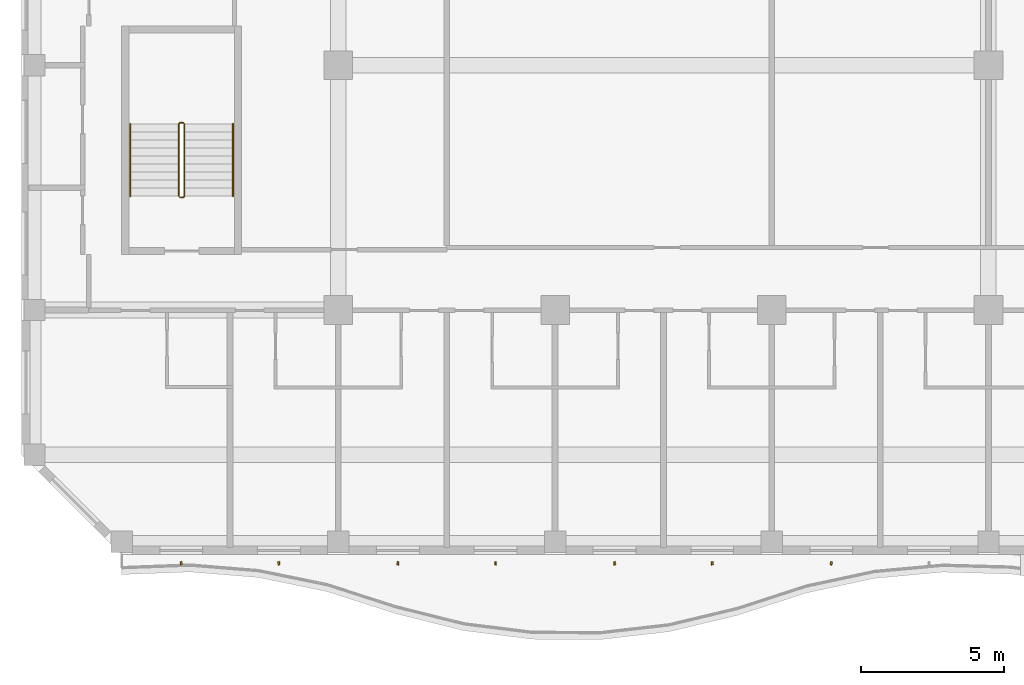
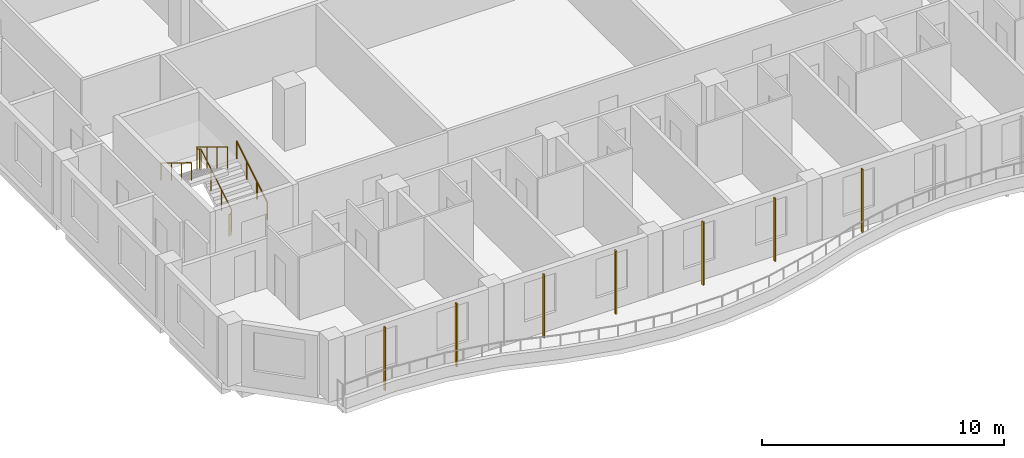
# One storey, part 15 of 22: 7 shading devices, 3 railings.
"""IFC4 building model written with IfcOpenShell, lengths in metres."""

from ifc_helpers import new_model, si_unit, direction, frame, origin, origin_2d, place, context, subcontext, project, spatial, rectangle, circle, extrude, source, transform, mapped, material, material_profile, profile_set, type_object, element, save


model = new_model("IFC4")

# Units and contexts
model_context = context("Model", 3, precision=1e-05, world=origin(), true_north=direction((0.0, 1.0)))
body_context = subcontext(model_context, "Body", "Model", "MODEL_VIEW")
ifc_project = project(units=[si_unit("LENGTHUNIT", "METRE"), si_unit("AREAUNIT", "SQUARE_METRE"), si_unit("VOLUMEUNIT", "CUBIC_METRE"), si_unit("PLANEANGLEUNIT", "RADIAN"), si_unit("MASSUNIT", "GRAM", prefix="KILO")], contexts=[model_context])

# Site, building, storey
site_placement = place(None, origin())
site = spatial("IfcSite", under=ifc_project, at=site_placement, CompositionType="ELEMENT")
building_placement = place(site_placement, origin())
building = spatial("IfcBuilding", under=site, at=building_placement, Name="Kilnfold Tower and Market Hall", CompositionType="ELEMENT")
storey_placement = place(building_placement, frame((0.0, 0.0, 206.699951171875)))
storey = spatial("IfcBuildingStorey", under=building, at=storey_placement, Name="L50", CompositionType="ELEMENT", Elevation=206.699951171875)

# Railings
ifc_material_1 = material(Name="Stainless steel 316", Category="steel")
railing_type_1 = type_object("IfcRailingType", Name="CORE STAIR GUARD 1100", PredefinedType="GUARDRAIL", material=ifc_material_1)
railing_1_placement = place(storey_placement, frame((-15.699951171875, -13.75, 0.0)))
element("IfcRailing", 1, at=railing_1_placement, inside=storey, type_object=railing_type_1, Name="L50 ST3 stair guard 1", PredefinedType="GUARDRAIL", context=body_context, shape_type="SweptSolid", body=[
    extrude(circle(Radius=0.02392578125, at=origin_2d()), frame((0.0, 0.0, 1.076171875), z_axis=(1.0, 0.0, 0.0), x_axis=(0.0, 1.0, 0.0)), (0.0, 0.0, 1.0), 0.099853515625),
    extrude(circle(Radius=0.02392578125, at=origin_2d()), frame((0.099853515625, 0.0, 1.076171875), z_axis=(0.271562723297, 0.271562723297, 0.923313259209), x_axis=(-0.707106781187, 0.707106781187, 0.0)), (0.0, 0.0, 1.0), 0.184326171875),
    extrude(circle(Radius=0.02392578125, at=origin_2d()), frame((0.14990234375, 0.050048828125, 1.24609375), z_axis=(0.0, 0.854821627497, 0.518921945155), x_axis=(-1.0, 0.0, 0.0)), (0.0, 0.0, 1.0), 2.947998046875),
    extrude(circle(Radius=0.02392578125, at=origin_2d()), frame((0.14990234375, 2.570068359375, 2.77587890625), z_axis=(-0.707106781187, 0.707106781187, 0.0), x_axis=(-0.707106781187, -0.707106781187, 0.0)), (0.0, 0.0, 1.0), 0.07080078125),
    extrude(circle(Radius=0.02392578125, at=origin_2d()), frame((0.099853515625, 2.6201171875, 2.77587890625), z_axis=(-1.0, 0.0, 0.0), x_axis=(0.0, -1.0, 0.0)), (0.0, 0.0, 1.0), 0.099853515625),
    extrude(circle(Radius=0.02392578125, at=origin_2d()), frame((0.0, 2.6201171875, 2.77587890625), z_axis=(-0.271562723297, -0.271562723297, 0.923313259209), x_axis=(0.707106781187, -0.707106781187, 0.0)), (0.0, 0.0, 1.0), 0.184326171875),
    extrude(circle(Radius=0.02392578125, at=origin_2d()), frame((-0.050048828125, 2.570068359375, 2.9462890625), z_axis=(0.0, -0.85478489116, 0.518982456201), x_axis=(1.0, 0.0, 0.0)), (0.0, 0.0, 1.0), 2.9482421875),
    extrude(circle(Radius=0.02099609375, at=origin_2d()), origin(), (0.0, 0.0, 1.0), 1.052001953125),
    extrude(circle(Radius=0.02099609375, at=origin_2d()), frame((0.099853515625, 0.0, 0.0)), (0.0, 0.0, 1.0), 1.052001953125),
    extrude(circle(Radius=0.02099609375, at=origin_2d()), frame((0.14990234375, 0.050048828125, 0.170166015625)), (0.0, 0.0, 1.0), 1.052001953125),
    extrude(circle(Radius=0.02099609375, at=origin_2d()), frame((0.14990234375, 0.89013671875, 0.68017578125)), (0.0, 0.0, 1.0), 1.052001953125),
    extrude(circle(Radius=0.02099609375, at=origin_2d()), frame((0.14990234375, 1.72998046875, 1.18994140625)), (0.0, 0.0, 1.0), 1.052001953125),
    extrude(circle(Radius=0.02099609375, at=origin_2d()), frame((0.14990234375, 2.570068359375, 1.699951171875)), (0.0, 0.0, 1.0), 1.052001953125),
    extrude(circle(Radius=0.02099609375, at=origin_2d()), frame((0.099853515625, 2.6201171875, 1.699951171875)), (0.0, 0.0, 1.0), 1.052001953125),
    extrude(circle(Radius=0.02099609375, at=origin_2d()), frame((0.0, 2.6201171875, 1.699951171875)), (0.0, 0.0, 1.0), 1.052001953125),
    extrude(circle(Radius=0.02099609375, at=origin_2d()), frame((-0.050048828125, 2.570068359375, 1.8701171875)), (0.0, 0.0, 1.0), 1.052001953125),
    extrude(circle(Radius=0.02099609375, at=origin_2d()), frame((-0.050048828125, 1.72998046875, 2.380126953125)), (0.0, 0.0, 1.0), 1.052001953125),
    extrude(circle(Radius=0.02099609375, at=origin_2d()), frame((-0.050048828125, 0.89013671875, 2.89013671875)), (0.0, 0.0, 1.0), 1.052001953125),
    extrude(circle(Radius=0.02099609375, at=origin_2d()), frame((-0.050048828125, 0.050048828125, 3.400146484375)), (0.0, 0.0, 1.0), 1.052001953125),
])
ifc_material_2 = material(Name="Stainless steel 316", Category="steel")
railing_type_2 = type_object("IfcRailingType", Name="CORE STAIR HANDRAIL 900", PredefinedType="HANDRAIL", material=ifc_material_2)
railing_2_placement = place(storey_placement, frame((-13.85009765625, -13.699951171875, 0.170166015625)))
element("IfcRailing", 2, at=railing_2_placement, inside=storey, type_object=railing_type_2, Name="L50 ST3 stair handrail 1", PredefinedType="HANDRAIL", context=body_context, shape_type="SweptSolid", body=[
    extrude(circle(Radius=0.02392578125, at=origin_2d()), frame((0.0, 0.0, 0.8759765625), z_axis=(0.0, 0.854821627497, 0.518921945155), x_axis=(-1.0, 0.0, 0.0)), (0.0, 0.0, 1.0), 2.947998046875),
    extrude(circle(Radius=0.02099609375, at=origin_2d()), origin(), (0.0, 0.0, 1.0), 0.851806640625),
    extrude(circle(Radius=0.02099609375, at=origin_2d()), frame((0.0, 0.840087890625, 0.510009765625)), (0.0, 0.0, 1.0), 0.851806640625),
    extrude(circle(Radius=0.02099609375, at=origin_2d()), frame((0.0, 1.679931640625, 1.019775390625)), (0.0, 0.0, 1.0), 0.851806640625),
    extrude(circle(Radius=0.02099609375, at=origin_2d()), frame((0.0, 2.52001953125, 1.52978515625)), (0.0, 0.0, 1.0), 0.851806640625),
])
railing_3_placement = place(storey_placement, frame((-17.449951171875, -11.179931640625, 1.8701171875)))
element("IfcRailing", 3, at=railing_3_placement, inside=storey, type_object=railing_type_2, Name="L50 ST3 stair handrail 2", PredefinedType="HANDRAIL", context=body_context, shape_type="SweptSolid", body=[
    extrude(circle(Radius=0.02392578125, at=origin_2d()), frame((0.0, 0.0, 0.8759765625), z_axis=(0.0, -0.85478489116, 0.518982456201), x_axis=(1.0, 0.0, 0.0)), (0.0, 0.0, 1.0), 2.9482421875),
    extrude(circle(Radius=0.02099609375, at=origin_2d()), origin(), (0.0, 0.0, 1.0), 0.851806640625),
    extrude(circle(Radius=0.02099609375, at=origin_2d()), frame((0.0, -0.840087890625, 0.510009765625)), (0.0, 0.0, 1.0), 0.851806640625),
    extrude(circle(Radius=0.02099609375, at=origin_2d()), frame((0.0, -1.679931640625, 1.02001953125)), (0.0, 0.0, 1.0), 0.851806640625),
    extrude(circle(Radius=0.02099609375, at=origin_2d()), frame((0.0, -2.52001953125, 1.530029296875)), (0.0, 0.0, 1.0), 0.851806640625),
])

# Shading devices
ifc_material_3 = material(Name="Terracotta", Category="masonry")
ifc_material_profile = material_profile(ifc_material_3, rectangle(XDim=0.06005859375, YDim=0.1201171875, at=origin_2d()), Name="BAG 60x120")
ifc_profile_set = profile_set([ifc_material_profile], Name="Terracotta")
shading_device_type = type_object("IfcShadingDeviceType", Name="BAGUETTE", PredefinedType="USERDEFINED", material=ifc_profile_set)
shared_shape = source(origin(), body_context, "Body", "SweptSolid", [
    extrude(rectangle(XDim=0.06005859375, YDim=0.1201171875, at=origin_2d()), origin(), (0.0, 0.0, 1.0), 3.179931640625),
])
for number, where, z_axis, x_axis, name in (
    (4, (-15.666748046875, -26.550048828125, 0.0), (0.0, 0.0, 1.0), (0.993931425087, 0.11000146465, 0.0), "Terracotta baguette L50 S"),
    (5, (-12.25, -26.550048828125, 0.0), (0.0, 0.0, 1.0), (0.995973288182, 0.089650483703, 0.0), "Terracotta baguette L50 S"),
    (6, (-8.083251953125, -26.550048828125, 0.0), (0.0, 0.0, 1.0), (0.99173577683, -0.128297112034, 0.0), "Terracotta baguette L50 S"),
    (7, (-4.666748046875, -26.550048828125, 0.0), (0.0, 0.0, 1.0), (0.99825810141, -0.058997991231, 0.0), "Terracotta baguette L50 S"),
    (8, (-0.5, -26.550048828125, 0.0), (0.0, 0.0, 1.0), (0.990450119361, 0.137871538242, 0.0), "Terracotta baguette L50 S"),
    (9, (2.916748046875, -26.550048828125, 0.0), (0.0, 0.0, 1.0), (0.999705399976, 0.024271655479, 0.0), "Terracotta baguette L50 S"),
    (10, (7.083251953125, -26.550048828125, 0.0), (0.0, 0.0, 1.0), (0.99041784769, -0.138103175119, 0.0), "Terracotta baguette L50 S"),
):
    element("IfcShadingDevice", number, at=place(storey_placement, frame(where, z_axis=z_axis, x_axis=x_axis)), inside=storey, type_object=shading_device_type, Name=name, ObjectType="BAGUETTE", PredefinedType="USERDEFINED", context=body_context, shape_type="MappedRepresentation", body=[
        mapped(shared_shape, transform((0.0, 0.0, 0.0))),
    ])

save(model, "model.ifc")
